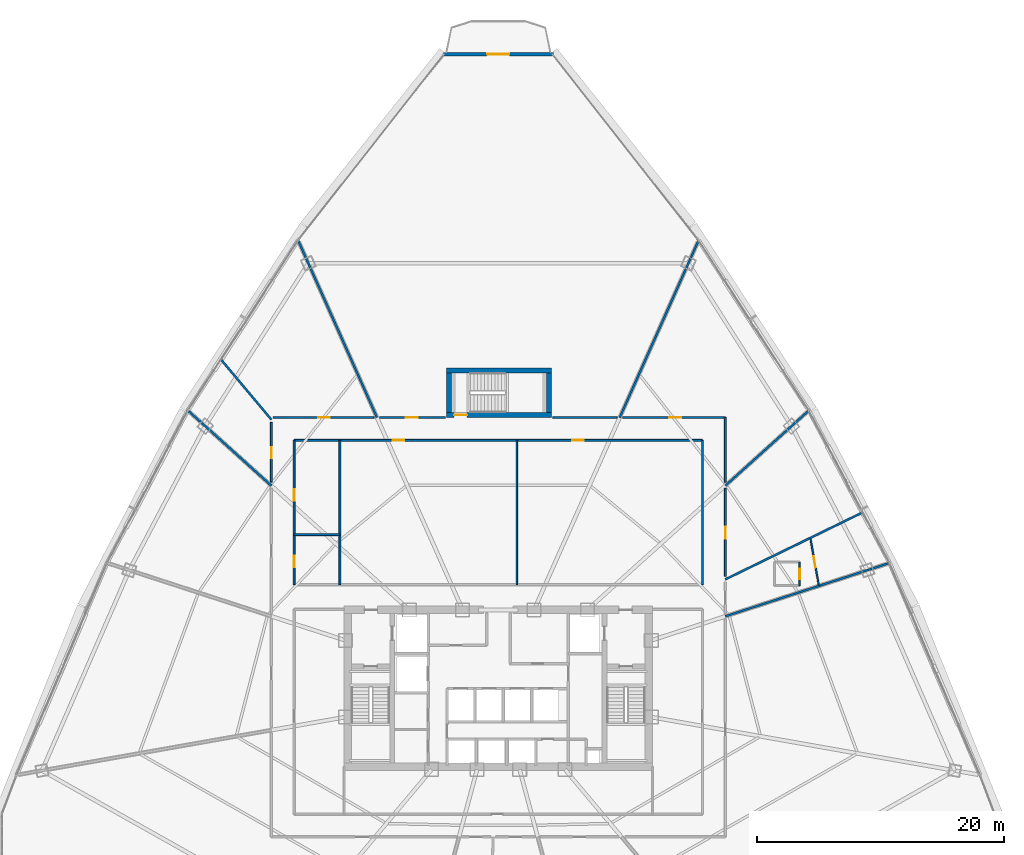
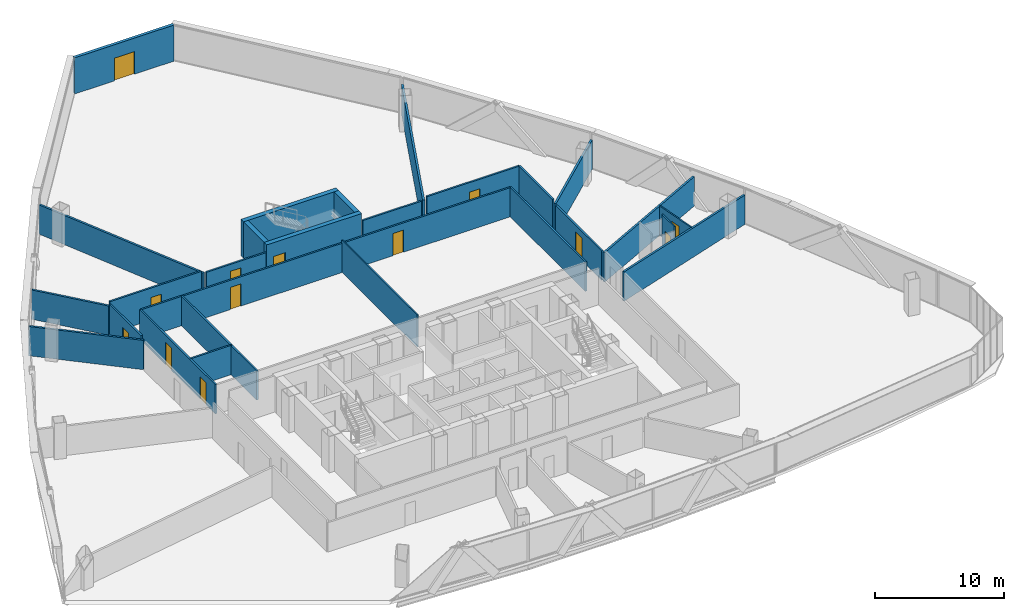
# One storey, part 37 of 42: 27 walls, 13 doors, 13 openings.
"""IFC4 building model written with IfcOpenShell, lengths in metres."""

from ifc_helpers import new_model, si_unit, direction, frame, frame_2d, origin, origin_with_axes, place, context, subcontext, project, spatial, rectangle, extrude, source, transform, mapped, material, layer, layer_set, type_object, element, fill, save


model = new_model("IFC4")

# Units and contexts
model_context = context("Model", 3, precision=1e-05, world=origin(), true_north=direction((0.0, 1.0)))
body_context = subcontext(model_context, "Body", "Model", "MODEL_VIEW")
ifc_project = project(units=[si_unit("LENGTHUNIT", "METRE"), si_unit("AREAUNIT", "SQUARE_METRE"), si_unit("VOLUMEUNIT", "CUBIC_METRE"), si_unit("PLANEANGLEUNIT", "RADIAN"), si_unit("MASSUNIT", "GRAM", prefix="KILO"), si_unit("THERMODYNAMICTEMPERATUREUNIT", "KELVIN"), si_unit("POWERUNIT", "WATT")], contexts=[model_context])

# Site, building, storey
site_placement = place(None, origin())
site = spatial("IfcSite", under=ifc_project, at=site_placement, CompositionType="ELEMENT")
building_placement = place(site_placement, origin())
building = spatial("IfcBuilding", under=site, at=building_placement, Name="Yunzhuo Pagoda Commons", CompositionType="ELEMENT")
storey_placement = place(building_placement, frame((0.0, 0.0, 133.510009765625)))
storey = spatial("IfcBuildingStorey", under=building, at=storey_placement, Name="L33", CompositionType="ELEMENT", Elevation=133.510009765625)

# Wall, opening, door
ifc_material_1 = material(Name="Precast concrete C40", Category="concrete")
ifc_layer_1 = layer(ifc_material_1, 0.260009765625)
ifc_layer_set_1 = layer_set([ifc_layer_1], Name="Precast concrete C40")
wall_type_1 = type_object("IfcWallType", Name="W-BAL1 Corner Balcony Threshold Wall 260", PredefinedType="STANDARD", material=ifc_layer_set_1)
wall_1_placement = place(storey_placement, frame((52.451416015625, 85.243408203125, 0.0), z_axis=(0.0, 0.0, 1.0), x_axis=(-1.0, 0.0, 0.0)))
wall_1 = element("IfcWall", 1, at=wall_1_placement, inside=storey, type_object=wall_type_1, Name="L33 corner balcony wall V3", PredefinedType="STANDARD", context=body_context, shape_type="SweptSolid", body=[
    extrude(rectangle(XDim=8.90283203125, YDim=0.260009765625, at=frame_2d((4.451416015625, 0.0))), origin(), (0.0, 0.0, 1.0), 3.419921875),
])
opening_1_placement = place(wall_1_placement, frame((3.55126953125, 0.0, 0.0)))
opening_1 = element("IfcOpeningElement", 2, at=opening_1_placement, cuts=wall_1, Name="Opening D-BAL1", PredefinedType="OPENING", context=body_context, shape_type="SweptSolid", body=[
    extrude(rectangle(XDim=1.800048828125, YDim=2.14990234375, at=frame_2d((0.89990234375, 1.074951171875))), frame((0.0, 0.14013671875, 0.0), z_axis=(0.0, -1.0, 0.0), x_axis=(1.0, 0.0, 0.0)), (0.0, 0.0, 1.0), 0.280029296875),
])
ifc_material_2 = material(Name="Anodized aluminium frame and tempered glazed leaf", Category="aluminium")
door_type_1 = type_object("IfcDoorType", Name="D-BAL1 Corner Balcony Sliding Glazed Door 1800x2150", OperationType="DOUBLE_DOOR_SLIDING", PredefinedType="DOOR", material=ifc_material_2)
shared_shape_1 = source(origin(), body_context, "Body", "SweptSolid", [
    extrude(rectangle(XDim=1.800048828125, YDim=2.14990234375, at=frame_2d((0.89990234375, 1.074951171875))), frame((0.0, 0.02490234375, 0.0), z_axis=(0.0, -1.0, 0.0), x_axis=(1.0, 0.0, 0.0)), (0.0, 0.0, 1.0), 0.050048828125),
])
door_1_placement = place(opening_1_placement, origin_with_axes())
door_1 = element("IfcDoor", 3, at=door_1_placement, inside=storey, type_object=door_type_1, Name="L33 corner balcony sliding door V3", OperationType="DOUBLE_DOOR_SLIDING", OverallHeight=2.14990234375, OverallWidth=1.800048828125, PredefinedType="DOOR", context=body_context, shape_type="MappedRepresentation", body=[
    mapped(shared_shape_1, transform((0.0, 0.0, 0.0), scale=1.0)),
])
fill(opening_1, door_1)

# Wall, openings, doors
ifc_material_3 = material(Name="Gypsum plasterboard on acoustic stud")
ifc_layer_2 = layer(ifc_material_3, 0.155029296875)
ifc_layer_set_2 = layer_set([ifc_layer_2], Name="Gypsum plasterboard on acoustic stud")
wall_type_2 = type_object("IfcWallType", Name="W-COR2 Mid-Zone Rated Corridor Wall 155", PredefinedType="PARTITIONING", material=ifc_layer_set_2)
wall_2_placement = place(storey_placement, frame((31.449951171875, 53.949951171875, 0.0), z_axis=(0.0, 0.0, 1.0), x_axis=(1.0, 0.0, 0.0)))
wall_2 = element("IfcWall", 4, at=wall_2_placement, inside=storey, type_object=wall_type_2, Name="L33 interior wall IW-L33-MCNN", PredefinedType="PARTITIONING", context=body_context, shape_type="SweptSolid", body=[
    extrude(rectangle(XDim=33.10009765625, YDim=0.155029296875, at=frame_2d((16.550048828125, 0.0))), origin(), (0.0, 0.0, 1.0), 2.77001953125),
])
opening_2_placement = place(wall_2_placement, frame((8.0, 0.0, 0.0)))
opening_2 = element("IfcOpeningElement", 5, at=opening_2_placement, cuts=wall_2, Name="Opening D-04", PredefinedType="OPENING", context=body_context, shape_type="SweptSolid", body=[
    extrude(rectangle(XDim=0.919921875, YDim=2.10009765625, at=frame_2d((0.4599609375, 1.050048828125))), frame((0.0, 0.08740234375, 0.0), z_axis=(0.0, -1.0, 0.0), x_axis=(1.0, 0.0, 0.0)), (0.0, 0.0, 1.0), 0.175048828125),
])
opening_3_placement = place(wall_2_placement, frame((22.550048828125, 0.0, 0.0)))
opening_3 = element("IfcOpeningElement", 6, at=opening_3_placement, cuts=wall_2, Name="Opening D-04", PredefinedType="OPENING", context=body_context, shape_type="SweptSolid", body=[
    extrude(rectangle(XDim=0.919921875, YDim=2.10009765625, at=frame_2d((0.4599609375, 1.050048828125))), frame((0.0, 0.08740234375, 0.0), z_axis=(0.0, -1.0, 0.0), x_axis=(1.0, 0.0, 0.0)), (0.0, 0.0, 1.0), 0.175048828125),
])
ifc_material_4 = material(Name="Powder-coated aluminium and timber acoustic leaf", Category="wood")
door_type_2 = type_object("IfcDoorType", Name="D-04 Bedroom & Study Interior Door 920x2100", OperationType="NOTDEFINED", PredefinedType="DOOR", material=ifc_material_4)
shared_shape_2 = source(origin(), body_context, "Body", "SweptSolid", [
    extrude(rectangle(XDim=0.919921875, YDim=2.10009765625, at=frame_2d((0.4599609375, 1.050048828125))), frame((0.0, 0.02490234375, 0.0), z_axis=(0.0, -1.0, 0.0), x_axis=(1.0, 0.0, 0.0)), (0.0, 0.0, 1.0), 0.050048828125),
])
door_2_placement = place(opening_2_placement, origin_with_axes())
door_2 = element("IfcDoor", 7, at=door_2_placement, inside=storey, type_object=door_type_2, Name="L33 reading commons door", OperationType="SINGLE_SWING_LEFT", OverallHeight=2.10009765625, OverallWidth=0.919921875, PredefinedType="DOOR", context=body_context, shape_type="MappedRepresentation", body=[
    mapped(shared_shape_2, transform((0.0, 0.0, 0.0), scale=1.0)),
])
fill(opening_2, door_2)
door_3_placement = place(opening_3_placement, origin_with_axes())
door_3 = element("IfcDoor", 8, at=door_3_placement, inside=storey, type_object=door_type_2, Name="L33 seminar commons door", OperationType="SINGLE_SWING_RIGHT", OverallHeight=2.10009765625, OverallWidth=0.919921875, PredefinedType="DOOR", context=body_context, shape_type="MappedRepresentation", body=[
    mapped(shared_shape_2, transform((0.0, 0.0, 0.0), scale=1.0)),
])
fill(opening_3, door_3)

wall_3_placement = place(storey_placement, frame((31.449951171875, 42.25, 0.0), z_axis=(0.0, 0.0, 1.0), x_axis=(0.0, 1.0, 0.0)))
wall_3 = element("IfcWall", 9, at=wall_3_placement, inside=storey, type_object=wall_type_2, Name="L33 interior wall IW-L33-MCNW", PredefinedType="PARTITIONING", context=body_context, shape_type="SweptSolid", body=[
    extrude(rectangle(XDim=11.699951171875, YDim=0.155029296875, at=frame_2d((5.85009765625, 0.0))), origin(), (0.0, 0.0, 1.0), 2.77001953125),
])
opening_4_placement = place(wall_3_placement, frame((1.39990234375, 0.0, 0.0)))
opening_4 = element("IfcOpeningElement", 10, at=opening_4_placement, cuts=wall_3, Name="Opening D-11", PredefinedType="OPENING", context=body_context, shape_type="SweptSolid", body=[
    extrude(rectangle(XDim=0.93994140625, YDim=2.10009765625, at=frame_2d((0.469970703125, 1.050048828125))), frame((0.0, 0.08740234375, 0.0), z_axis=(0.0, -1.0, 0.0), x_axis=(1.0, 0.0, 0.0)), (0.0, 0.0, 1.0), 0.175048828125),
])
opening_5_placement = place(wall_3_placement, frame((6.800048828125, 0.0, 0.0)))
opening_5 = element("IfcOpeningElement", 11, at=opening_5_placement, cuts=wall_3, Name="Opening D-04", PredefinedType="OPENING", context=body_context, shape_type="SweptSolid", body=[
    extrude(rectangle(XDim=0.919921875, YDim=2.10009765625, at=frame_2d((0.4599609375, 1.050048828125))), frame((0.0, 0.08740234375, 0.0), z_axis=(0.0, -1.0, 0.0), x_axis=(1.0, 0.0, 0.0)), (0.0, 0.0, 1.0), 0.175048828125),
])
ifc_material_5 = material(Name="Galvanized fire-resisting metal leaf")
door_type_3 = type_object("IfcDoorType", Name="D-11 Accessible Washroom Fire Door 940x2100", OperationType="NOTDEFINED", PredefinedType="DOOR", material=ifc_material_5)
shared_shape_3 = source(origin(), body_context, "Body", "SweptSolid", [
    extrude(rectangle(XDim=0.93994140625, YDim=2.10009765625, at=frame_2d((0.469970703125, 1.050048828125))), frame((0.0, 0.02490234375, 0.0), z_axis=(0.0, -1.0, 0.0), x_axis=(1.0, 0.0, 0.0)), (0.0, 0.0, 1.0), 0.050048828125),
])
door_4_placement = place(opening_4_placement, origin_with_axes())
door_4 = element("IfcDoor", 12, at=door_4_placement, inside=storey, type_object=door_type_3, Name="L33 accessible WC door", OperationType="SINGLE_SWING_LEFT", OverallHeight=2.10009765625, OverallWidth=0.93994140625, PredefinedType="DOOR", context=body_context, shape_type="MappedRepresentation", body=[
    mapped(shared_shape_3, transform((0.0, 0.0, 0.0), scale=1.0)),
])
fill(opening_4, door_4)
door_5_placement = place(opening_5_placement, origin_with_axes())
door_5 = element("IfcDoor", 13, at=door_5_placement, inside=storey, type_object=door_type_2, Name="L33 laundry door", OperationType="SINGLE_SWING_RIGHT", OverallHeight=2.10009765625, OverallWidth=0.919921875, PredefinedType="DOOR", context=body_context, shape_type="MappedRepresentation", body=[
    mapped(shared_shape_2, transform((0.0, 0.0, 0.0), scale=1.0)),
])
fill(opening_5, door_5)

# Walls
for number, where, z_axis, x_axis, name in (
    (14, (64.550048828125, 42.25, 0.0), (0.0, 0.0, 1.0), (0.0, 1.0, 0.0), "L33 interior wall IW-L33-MCNE"),
    (15, (35.14990234375, 42.25, 0.0), (0.0, 0.0, 1.0), (0.0, 1.0, 0.0), "L33 interior wall IW-L33-MCWCE"),
):
    element("IfcWall", number, at=place(storey_placement, frame(where, z_axis=z_axis, x_axis=x_axis)), inside=storey, type_object=wall_type_2, Name=name, PredefinedType="PARTITIONING", context=body_context, shape_type="SweptSolid", body=[
        extrude(rectangle(XDim=11.699951171875, YDim=0.155029296875, at=frame_2d((5.85009765625, 0.0))), origin(), (0.0, 0.0, 1.0), 2.77001953125),
    ])
wall_4_placement = place(storey_placement, frame((31.449951171875, 46.300048828125, 0.0), z_axis=(0.0, 0.0, 1.0), x_axis=(1.0, 0.0, 0.0)))
element("IfcWall", 16, at=wall_4_placement, inside=storey, type_object=wall_type_2, Name="L33 interior wall IW-L33-MCWCN", PredefinedType="PARTITIONING", context=body_context, shape_type="SweptSolid", body=[
    extrude(rectangle(XDim=3.699951171875, YDim=0.155029296875, at=frame_2d((1.85009765625, 0.0))), origin(), (0.0, 0.0, 1.0), 2.77001953125),
])

# Wall, opening, door
wall_5_placement = place(storey_placement, frame((29.60009765625, 50.5634765625, 0.0), z_axis=(0.0, 0.0, 1.0), x_axis=(0.0, 1.0, 0.0)))
wall_5 = element("IfcWall", 17, at=wall_5_placement, inside=storey, type_object=wall_type_2, Name="L33 interior wall IW-L33-CWL04", PredefinedType="PARTITIONING", context=body_context, shape_type="SweptSolid", body=[
    extrude(rectangle(XDim=4.844970703125, YDim=0.155029296875, at=frame_2d((2.42236328125, 0.0))), origin(), (0.0, 0.0, 1.0), 3.02001953125),
])
opening_6_placement = place(wall_5_placement, frame((1.924560546875, 0.0, 0.0)))
opening_6 = element("IfcOpeningElement", 18, at=opening_6_placement, cuts=wall_5, Name="Opening D-12", PredefinedType="OPENING", context=body_context, shape_type="SweptSolid", body=[
    extrude(rectangle(XDim=0.89990234375, YDim=2.080078125, at=frame_2d((0.449951171875, 1.0400390625))), frame((0.0, 0.08740234375, 0.0), z_axis=(0.0, -1.0, 0.0), x_axis=(1.0, 0.0, 0.0)), (0.0, 0.0, 1.0), 0.175048828125),
])
door_type_4 = type_object("IfcDoorType", Name="D-12 Quiet Study Interior Door 900x2080", OperationType="NOTDEFINED", PredefinedType="DOOR", material=ifc_material_4)
shared_shape_4 = source(origin(), body_context, "Body", "SweptSolid", [
    extrude(rectangle(XDim=0.89990234375, YDim=2.080078125, at=frame_2d((0.449951171875, 1.0400390625))), frame((0.0, 0.02490234375, 0.0), z_axis=(0.0, -1.0, 0.0), x_axis=(1.0, 0.0, 0.0)), (0.0, 0.0, 1.0), 0.050048828125),
])
door_6_placement = place(opening_6_placement, origin_with_axes())
door_6 = element("IfcDoor", 19, at=door_6_placement, inside=storey, type_object=door_type_4, Name="L33 study lounge 06 door", OperationType="SINGLE_SWING_RIGHT", OverallHeight=2.080078125, OverallWidth=0.89990234375, PredefinedType="DOOR", context=body_context, shape_type="MappedRepresentation", body=[
    mapped(shared_shape_4, transform((0.0, 0.0, 0.0), scale=1.0)),
])
fill(opening_6, door_6)

wall_6_placement = place(storey_placement, frame((29.7431640625, 55.800048828125, 0.0), z_axis=(0.0, 0.0, 1.0), x_axis=(1.0, 0.0, 0.0)))
wall_6 = element("IfcWall", 20, at=wall_6_placement, inside=storey, type_object=wall_type_2, Name="L33 interior wall IW-L33-CWL05", PredefinedType="PARTITIONING", context=body_context, shape_type="SweptSolid", body=[
    extrude(rectangle(XDim=8.176513671875, YDim=0.155029296875, at=frame_2d((4.08837890625, 0.0))), origin(), (0.0, 0.0, 1.0), 3.02001953125),
])
opening_7_placement = place(wall_6_placement, frame((3.6455078125, 0.0, 0.0)))
opening_7 = element("IfcOpeningElement", 21, at=opening_7_placement, cuts=wall_6, Name="Opening D-07", PredefinedType="OPENING", context=body_context, shape_type="SweptSolid", body=[
    extrude(rectangle(XDim=0.9599609375, YDim=2.1201171875, at=frame_2d((0.47998046875, 1.06005859375))), frame((0.0, 0.08740234375, 0.0), z_axis=(0.0, -1.0, 0.0), x_axis=(1.0, 0.0, 0.0)), (0.0, 0.0, 1.0), 0.175048828125),
])
door_type_5 = type_object("IfcDoorType", Name="D-07 Mid-Zone Suite Entrance Fire Door 960x2120", OperationType="NOTDEFINED", PredefinedType="DOOR", material=ifc_material_5)
shared_shape_5 = source(origin(), body_context, "Body", "SweptSolid", [
    extrude(rectangle(XDim=0.9599609375, YDim=2.1201171875, at=frame_2d((0.47998046875, 1.06005859375))), frame((0.0, 0.02490234375, 0.0), z_axis=(0.0, -1.0, 0.0), x_axis=(1.0, 0.0, 0.0)), (0.0, 0.0, 1.0), 0.050048828125),
])
door_7_placement = place(opening_7_placement, origin_with_axes())
door_7 = element("IfcDoor", 22, at=door_7_placement, inside=storey, type_object=door_type_5, Name="L33 unit 05 entrance door", OperationType="SINGLE_SWING_LEFT", OverallHeight=2.1201171875, OverallWidth=0.9599609375, PredefinedType="DOOR", context=body_context, shape_type="MappedRepresentation", body=[
    mapped(shared_shape_5, transform((0.0, 0.0, 0.0), scale=1.0)),
])
fill(opening_7, door_7)

wall_7_placement = place(storey_placement, frame((38.380126953125, 55.800048828125, 0.0), z_axis=(0.0, 0.0, 1.0), x_axis=(1.0, 0.0, 0.0)))
wall_7 = element("IfcWall", 23, at=wall_7_placement, inside=storey, type_object=wall_type_2, Name="L33 interior wall IW-L33-CWL06", PredefinedType="PARTITIONING", context=body_context, shape_type="SweptSolid", body=[
    extrude(rectangle(XDim=5.328857421875, YDim=0.155029296875, at=frame_2d((2.66455078125, 0.0))), origin(), (0.0, 0.0, 1.0), 2.77001953125),
])
opening_8_placement = place(wall_7_placement, frame((2.114990234375, 0.0, 0.0)))
opening_8 = element("IfcOpeningElement", 24, at=opening_8_placement, cuts=wall_7, Name="Opening D-07", PredefinedType="OPENING", context=body_context, shape_type="SweptSolid", body=[
    extrude(rectangle(XDim=0.9599609375, YDim=2.1201171875, at=frame_2d((0.47998046875, 1.06005859375))), frame((0.0, 0.08740234375, 0.0), z_axis=(0.0, -1.0, 0.0), x_axis=(1.0, 0.0, 0.0)), (0.0, 0.0, 1.0), 0.175048828125),
])
door_8_placement = place(opening_8_placement, origin_with_axes())
door_8 = element("IfcDoor", 25, at=door_8_placement, inside=storey, type_object=door_type_5, Name="L33 unit 04 entrance door", OperationType="SINGLE_SWING_RIGHT", OverallHeight=2.1201171875, OverallWidth=0.9599609375, PredefinedType="DOOR", context=body_context, shape_type="MappedRepresentation", body=[
    mapped(shared_shape_5, transform((0.0, 0.0, 0.0), scale=1.0)),
])
fill(opening_8, door_8)

# Wall
wall_8_placement = place(storey_placement, frame((52.39111328125, 55.800048828125, 0.0), z_axis=(0.0, 0.0, 1.0), x_axis=(1.0, 0.0, 0.0)))
element("IfcWall", 26, at=wall_8_placement, inside=storey, type_object=wall_type_2, Name="L33 interior wall IW-L33-CWL07", PredefinedType="PARTITIONING", context=body_context, shape_type="SweptSolid", body=[
    extrude(rectangle(XDim=5.228759765625, YDim=0.155029296875, at=frame_2d((2.6142578125, 0.0))), origin(), (0.0, 0.0, 1.0), 2.77001953125),
])

# Wall, opening, door
wall_9_placement = place(storey_placement, frame((58.080322265625, 55.800048828125, 0.0), z_axis=(0.0, 0.0, 1.0), x_axis=(1.0, 0.0, 0.0)))
wall_9 = element("IfcWall", 27, at=wall_9_placement, inside=storey, type_object=wall_type_2, Name="L33 interior wall IW-L33-CWL08", PredefinedType="PARTITIONING", context=body_context, shape_type="SweptSolid", body=[
    extrude(rectangle(XDim=8.319580078125, YDim=0.155029296875, at=frame_2d((4.15966796875, 0.0))), origin(), (0.0, 0.0, 1.0), 3.02001953125),
])
opening_9_placement = place(wall_9_placement, frame((3.79443359375, 0.0, 0.0)))
opening_9 = element("IfcOpeningElement", 28, at=opening_9_placement, cuts=wall_9, Name="Opening D-07", PredefinedType="OPENING", context=body_context, shape_type="SweptSolid", body=[
    extrude(rectangle(XDim=0.9599609375, YDim=2.1201171875, at=frame_2d((0.47998046875, 1.06005859375))), frame((0.0, 0.08740234375, 0.0), z_axis=(0.0, -1.0, 0.0), x_axis=(1.0, 0.0, 0.0)), (0.0, 0.0, 1.0), 0.175048828125),
])
door_9_placement = place(opening_9_placement, origin_with_axes())
door_9 = element("IfcDoor", 29, at=door_9_placement, inside=storey, type_object=door_type_5, Name="L33 unit 03 entrance door", OperationType="SINGLE_SWING_LEFT", OverallHeight=2.1201171875, OverallWidth=0.9599609375, PredefinedType="DOOR", context=body_context, shape_type="MappedRepresentation", body=[
    mapped(shared_shape_5, transform((0.0, 0.0, 0.0), scale=1.0)),
])
fill(opening_9, door_9)

# Wall
wall_10_placement = place(storey_placement, frame((66.39990234375, 55.800048828125, 0.0), z_axis=(0.0, 0.0, 1.0), x_axis=(0.0, -1.0, 0.0)))
element("IfcWall", 30, at=wall_10_placement, inside=storey, type_object=wall_type_2, Name="L33 interior wall IW-L33-CWL09", PredefinedType="PARTITIONING", context=body_context, shape_type="SweptSolid", body=[
    extrude(rectangle(XDim=5.236572265625, YDim=0.155029296875, at=frame_2d((2.6181640625, 0.0))), origin(), (0.0, 0.0, 1.0), 3.02001953125),
])

# Wall, opening, door
wall_11_placement = place(storey_placement, frame((66.39990234375, 50.047607421875, 0.0), z_axis=(0.0, 0.0, 1.0), x_axis=(0.0, -1.0, 0.0)))
wall_11 = element("IfcWall", 31, at=wall_11_placement, inside=storey, type_object=wall_type_2, Name="L33 interior wall IW-L33-CWL10", PredefinedType="PARTITIONING", context=body_context, shape_type="SweptSolid", body=[
    extrude(rectangle(XDim=7.12841796875, YDim=0.155029296875, at=frame_2d((3.564208984375, 0.0))), origin(), (0.0, 0.0, 1.0), 2.77001953125),
])
opening_10_placement = place(wall_11_placement, frame((3.101806640625, 0.0, 0.0)))
opening_10 = element("IfcOpeningElement", 32, at=opening_10_placement, cuts=wall_11, Name="Opening D-07", PredefinedType="OPENING", context=body_context, shape_type="SweptSolid", body=[
    extrude(rectangle(XDim=0.9599609375, YDim=2.1201171875, at=frame_2d((0.47998046875, 1.06005859375))), frame((0.0, 0.08740234375, 0.0), z_axis=(0.0, -1.0, 0.0), x_axis=(1.0, 0.0, 0.0)), (0.0, 0.0, 1.0), 0.175048828125),
])
door_10_placement = place(opening_10_placement, origin_with_axes())
door_10 = element("IfcDoor", 33, at=door_10_placement, inside=storey, type_object=door_type_5, Name="L33 unit 02 entrance door", OperationType="SINGLE_SWING_RIGHT", OverallHeight=2.1201171875, OverallWidth=0.9599609375, PredefinedType="DOOR", context=body_context, shape_type="MappedRepresentation", body=[
    mapped(shared_shape_5, transform((0.0, 0.0, 0.0), scale=1.0)),
])
fill(opening_10, door_10)

# Wall
ifc_layer_3 = layer(ifc_material_3, 0.1201171875)
ifc_layer_set_3 = layer_set([ifc_layer_3], Name="Gypsum plasterboard on acoustic stud")
wall_type_3 = type_object("IfcWallType", Name="W-PRT1 Suite & Bathroom Partition 120", PredefinedType="PARTITIONING", material=ifc_layer_set_3)
wall_12_placement = place(storey_placement, frame((49.5, 42.25, 0.0), z_axis=(0.0, 0.0, 1.0), x_axis=(0.0, 1.0, 0.0)))
element("IfcWall", 34, at=wall_12_placement, inside=storey, type_object=wall_type_3, Name="L33 interior wall IW-L33-MCDIV", PredefinedType="PARTITIONING", context=body_context, shape_type="SweptSolid", body=[
    extrude(rectangle(XDim=11.699951171875, YDim=0.1201171875, at=frame_2d((5.85009765625, 0.0))), origin(), (0.0, 0.0, 1.0), 3.02001953125),
])

# Wall, opening, door
wall_13_placement = place(storey_placement, frame((72.43310546875, 42.1708984375, 0.0), z_axis=(0.0, 0.0, 1.0), x_axis=(0.0, 1.0, 0.0)))
wall_13 = element("IfcWall", 35, at=wall_13_placement, inside=storey, type_object=wall_type_3, Name="L33 interior wall IW-L33-B01E", PredefinedType="PARTITIONING", context=body_context, shape_type="SweptSolid", body=[
    extrude(rectangle(XDim=1.900146484375, YDim=0.1201171875, at=frame_2d((0.9501953125, 0.0))), origin(), (0.0, 0.0, 1.0), 3.419921875),
])
opening_11_placement = place(wall_13_placement, frame((0.52490234375, 0.0, 0.0)))
opening_11 = element("IfcOpeningElement", 36, at=opening_11_placement, cuts=wall_13, Name="Opening D-05", PredefinedType="OPENING", context=body_context, shape_type="SweptSolid", body=[
    extrude(rectangle(XDim=0.85009765625, YDim=2.10009765625, at=frame_2d((0.425048828125, 1.050048828125))), frame((0.0, 0.070068359375, 0.0), z_axis=(0.0, -1.0, 0.0), x_axis=(1.0, 0.0, 0.0)), (0.0, 0.0, 1.0), 0.14013671875),
])
door_type_6 = type_object("IfcDoorType", Name="D-05 En-Suite Bathroom Door 850x2100", OperationType="NOTDEFINED", PredefinedType="DOOR", material=ifc_material_4)
shared_shape_6 = source(origin(), body_context, "Body", "SweptSolid", [
    extrude(rectangle(XDim=0.85009765625, YDim=2.10009765625, at=frame_2d((0.425048828125, 1.050048828125))), frame((0.0, 0.02490234375, 0.0), z_axis=(0.0, -1.0, 0.0), x_axis=(1.0, 0.0, 0.0)), (0.0, 0.0, 1.0), 0.050048828125),
])
door_11_placement = place(opening_11_placement, frame((0.85009765625, 0.0, 0.0), z_axis=(0.0, 0.0, 1.0), x_axis=(-1.0, 0.0, 0.0)))
door_11 = element("IfcDoor", 37, at=door_11_placement, inside=storey, type_object=door_type_6, Name="L33 unit 01 bathroom door", OperationType="SINGLE_SWING_LEFT", OverallHeight=2.10009765625, OverallWidth=0.85009765625, PredefinedType="DOOR", context=body_context, shape_type="MappedRepresentation", body=[
    mapped(shared_shape_6, transform((0.0, 0.0, 0.0), scale=1.0)),
])
fill(opening_11, door_11)

wall_14_placement = place(storey_placement, frame((73.977294921875, 42.20361328125, 0.0), z_axis=(0.0, 0.0, 1.0), x_axis=(-0.175839166685, 0.984418908524, 0.0)))
wall_14 = element("IfcWall", 38, at=wall_14_placement, inside=storey, type_object=wall_type_3, Name="L33 interior wall IW-L33-CLB01", PredefinedType="PARTITIONING", context=body_context, shape_type="SweptSolid", body=[
    extrude(rectangle(XDim=3.83056640625, YDim=0.1201171875, at=frame_2d((1.915283203125, 0.0))), origin(), (0.0, 0.0, 1.0), 2.77001953125),
])
opening_12_placement = place(wall_14_placement, frame((1.455322265625, 0.0, 0.0)))
opening_12 = element("IfcOpeningElement", 39, at=opening_12_placement, cuts=wall_14, Name="Opening D-04", PredefinedType="OPENING", context=body_context, shape_type="SweptSolid", body=[
    extrude(rectangle(XDim=0.919921875, YDim=2.10009765625, at=frame_2d((0.4599609375, 1.050048828125))), frame((0.0, 0.070068359375, 0.0), z_axis=(0.0, -1.0, 0.0), x_axis=(1.0, 0.0, 0.0)), (0.0, 0.0, 1.0), 0.14013671875),
])
door_12_placement = place(opening_12_placement, origin_with_axes())
door_12 = element("IfcDoor", 40, at=door_12_placement, inside=storey, type_object=door_type_2, Name="L33 suite 01 bedroom door", OperationType="SINGLE_SWING_LEFT", OverallHeight=2.10009765625, OverallWidth=0.919921875, PredefinedType="DOOR", context=body_context, shape_type="MappedRepresentation", body=[
    mapped(shared_shape_2, transform((0.0, 0.0, 0.0), scale=1.0)),
])
fill(opening_12, door_12)

# Walls
ifc_layer_4 = layer(ifc_material_3, 0.175048828125)
ifc_layer_set_4 = layer_set([ifc_layer_4], Name="Gypsum plasterboard on acoustic stud")
wall_type_4 = type_object("IfcWallType", Name="W-PRT3 Mid-Zone Demising Wall 175", PredefinedType="PARTITIONING", material=ifc_layer_set_4)
wall_15_placement = place(storey_placement, frame((66.39990234375, 39.678466796875, 0.0), z_axis=(0.0, 0.0, 1.0), x_axis=(0.95105622709, 0.309017884457, 0.0)))
element("IfcWall", 41, at=wall_15_placement, inside=storey, type_object=wall_type_4, Name="L33 interior wall IW-L33-RAD01", PredefinedType="PARTITIONING", context=body_context, shape_type="SweptSolid", body=[
    extrude(rectangle(XDim=14.006103515625, YDim=0.175048828125, at=frame_2d((7.0029296875, 0.0))), origin(), (0.0, 0.0, 1.0), 2.77001953125),
])
wall_16_placement = place(storey_placement, frame((66.39990234375, 42.67431640625, 0.0), z_axis=(0.0, 0.0, 1.0), x_axis=(0.898797201523, 0.438364677563, 0.0)))
element("IfcWall", 42, at=wall_16_placement, inside=storey, type_object=wall_type_4, Name="L33 interior wall IW-L33-RAD02", PredefinedType="PARTITIONING", context=body_context, shape_type="SweptSolid", body=[
    extrude(rectangle(XDim=12.40185546875, YDim=0.175048828125, at=frame_2d((6.200927734375, 0.0))), origin(), (0.0, 0.0, 1.0), 2.77001953125),
])
wall_17_placement = place(storey_placement, frame((66.39990234375, 50.267333984375, 0.0), z_axis=(0.0, 0.0, 1.0), x_axis=(0.743139639416, 0.669136366018, 0.0)))
element("IfcWall", 43, at=wall_17_placement, inside=storey, type_object=wall_type_4, Name="L33 interior wall IW-L33-RAD03", PredefinedType="PARTITIONING", context=body_context, shape_type="SweptSolid", body=[
    extrude(rectangle(XDim=9.115234375, YDim=0.175048828125, at=frame_2d((4.5576171875, 0.0))), origin(), (0.0, 0.0, 1.0), 2.77001953125),
])
for number, where, z_axis, x_axis, name in (
    (44, (57.839599609375, 55.800048828125, 0.0), (0.0, 0.0, 1.0), (0.406729069032, 0.913548829787, 0.0), "L33 interior wall IW-L33-RAD04"),
    (45, (38.160400390625, 55.800048828125, 0.0), (0.0, 0.0, 1.0), (-0.406729069032, 0.913548829787, 0.0), "L33 interior wall IW-L33-RAD05"),
):
    element("IfcWall", number, at=place(storey_placement, frame(where, z_axis=z_axis, x_axis=x_axis)), inside=storey, type_object=wall_type_4, Name=name, PredefinedType="PARTITIONING", context=body_context, shape_type="SweptSolid", body=[
        extrude(rectangle(XDim=15.72314453125, YDim=0.175048828125, at=frame_2d((7.861572265625, 0.0))), origin(), (0.0, 0.0, 1.0), 2.77001953125),
    ])
wall_18_placement = place(storey_placement, frame((29.60009765625, 55.62841796875, 0.0), z_axis=(0.0, 0.0, 1.0), x_axis=(-0.642790889975, 0.766041690618, 0.0)))
element("IfcWall", 46, at=wall_18_placement, inside=storey, type_object=wall_type_4, Name="L33 interior wall IW-L33-RAD06", PredefinedType="PARTITIONING", context=body_context, shape_type="SweptSolid", body=[
    extrude(rectangle(XDim=6.366455078125, YDim=0.175048828125, at=frame_2d((3.18310546875, 0.0))), origin(), (0.0, 0.0, 1.0), 2.77001953125),
])
wall_19_placement = place(storey_placement, frame((29.60009765625, 50.267333984375, 0.0), z_axis=(0.0, 0.0, 1.0), x_axis=(-0.743139639416, 0.669136366018, 0.0)))
element("IfcWall", 47, at=wall_19_placement, inside=storey, type_object=wall_type_4, Name="L33 interior wall IW-L33-RAD07", PredefinedType="PARTITIONING", context=body_context, shape_type="SweptSolid", body=[
    extrude(rectangle(XDim=9.115234375, YDim=0.175048828125, at=frame_2d((4.5576171875, 0.0))), origin(), (0.0, 0.0, 1.0), 2.77001953125),
])
ifc_material_6 = material(Name="Concrete C60", Category="concrete")
ifc_layer_5 = layer(ifc_material_6, 0.39990234375)
ifc_layer_set_5 = layer_set([ifc_layer_5], Name="Concrete C60")
wall_type_5 = type_object("IfcWallType", Name="W-S01 Internal Core Shear Web 400", PredefinedType="SHEAR", material=ifc_layer_set_5)
wall_20_placement = place(storey_placement, frame((43.800048828125, 59.60009765625, 0.0), z_axis=(0.0, 0.0, 1.0), x_axis=(1.0, 0.0, 0.0)))
element("IfcWall", 48, at=wall_20_placement, inside=storey, type_object=wall_type_5, Name="L33 ST3 structural stair wall N", PredefinedType="SHEAR", context=body_context, shape_type="SweptSolid", body=[
    extrude(rectangle(XDim=8.5, YDim=0.39990234375, at=frame_2d((4.25, 0.0))), origin(), (0.0, 0.0, 1.0), 3.419921875),
])

# Wall, opening, door
wall_21_placement = place(storey_placement, frame((43.800048828125, 56.0, 0.0), z_axis=(0.0, 0.0, 1.0), x_axis=(1.0, 0.0, 0.0)))
wall_21 = element("IfcWall", 49, at=wall_21_placement, inside=storey, type_object=wall_type_5, Name="L33 ST3 structural stair wall S", PredefinedType="SHEAR", context=body_context, shape_type="SweptSolid", body=[
    extrude(rectangle(XDim=8.5, YDim=0.39990234375, at=frame_2d((4.25, 0.0))), origin(), (0.0, 0.0, 1.0), 3.419921875),
])
opening_13_placement = place(wall_21_placement, frame((0.6201171875, 0.0, 0.0)))
opening_13 = element("IfcOpeningElement", 50, at=opening_13_placement, cuts=wall_21, Name="Opening D-01", PredefinedType="OPENING", context=body_context, shape_type="SweptSolid", body=[
    extrude(rectangle(XDim=1.050048828125, YDim=2.10009765625, at=frame_2d((0.52490234375, 1.050048828125))), frame((0.0, 0.2099609375, 0.0), z_axis=(0.0, -1.0, 0.0), x_axis=(1.0, 0.0, 0.0)), (0.0, 0.0, 1.0), 0.419921875),
])
door_type_7 = type_object("IfcDoorType", Name="D-01 Smokeproof Stair Fire Door 1050x2100", OperationType="NOTDEFINED", PredefinedType="DOOR", material=ifc_material_5)
shared_shape_7 = source(origin(), body_context, "Body", "SweptSolid", [
    extrude(rectangle(XDim=1.050048828125, YDim=2.10009765625, at=frame_2d((0.52490234375, 1.050048828125))), frame((0.0, 0.02490234375, 0.0), z_axis=(0.0, -1.0, 0.0), x_axis=(1.0, 0.0, 0.0)), (0.0, 0.0, 1.0), 0.050048828125),
])
door_13_placement = place(opening_13_placement, frame((1.050048828125, 0.0, 0.0), z_axis=(0.0, 0.0, 1.0), x_axis=(-1.0, 0.0, 0.0)))
door_13 = element("IfcDoor", 51, at=door_13_placement, inside=storey, type_object=door_type_7, Name="L33 Stair ST3 fire door", OperationType="SINGLE_SWING_LEFT", OverallHeight=2.10009765625, OverallWidth=1.050048828125, PredefinedType="DOOR", context=body_context, shape_type="MappedRepresentation", body=[
    mapped(shared_shape_7, transform((0.0, 0.0, 0.0), scale=1.0)),
])
fill(opening_13, door_13)

# Walls
for number, where, z_axis, x_axis, name in (
    (52, (44.0, 56.199951171875, 0.0), (0.0, 0.0, 1.0), (0.0, 1.0, 0.0), "L33 ST3 structural stair wall W"),
    (53, (52.10009765625, 56.199951171875, 0.0), (0.0, 0.0, 1.0), (0.0, 1.0, 0.0), "L33 ST3 structural stair wall E"),
):
    element("IfcWall", number, at=place(storey_placement, frame(where, z_axis=z_axis, x_axis=x_axis)), inside=storey, type_object=wall_type_5, Name=name, PredefinedType="SHEAR", context=body_context, shape_type="SweptSolid", body=[
        extrude(rectangle(XDim=3.199951171875, YDim=0.39990234375, at=frame_2d((1.60009765625, 0.0))), origin(), (0.0, 0.0, 1.0), 3.419921875),
    ])

save(model, "model.ifc")
